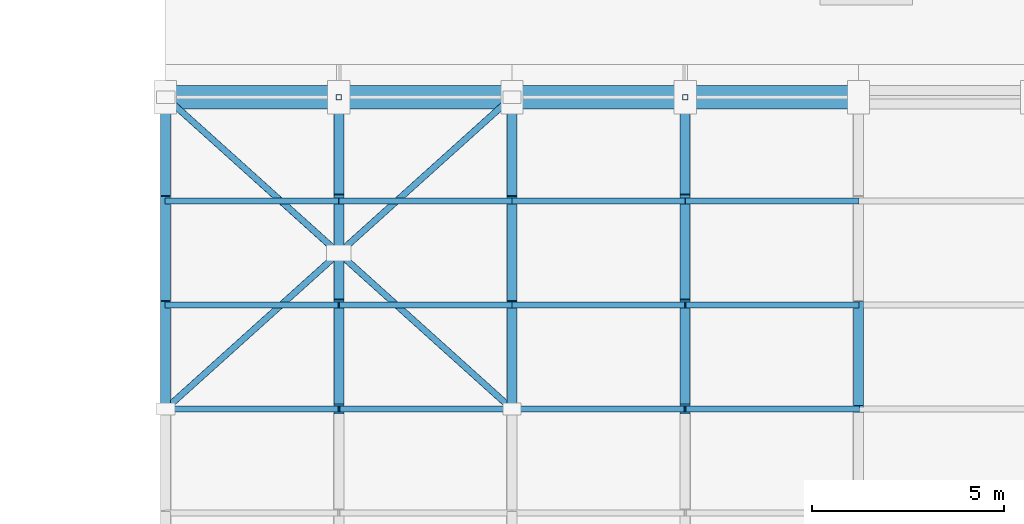
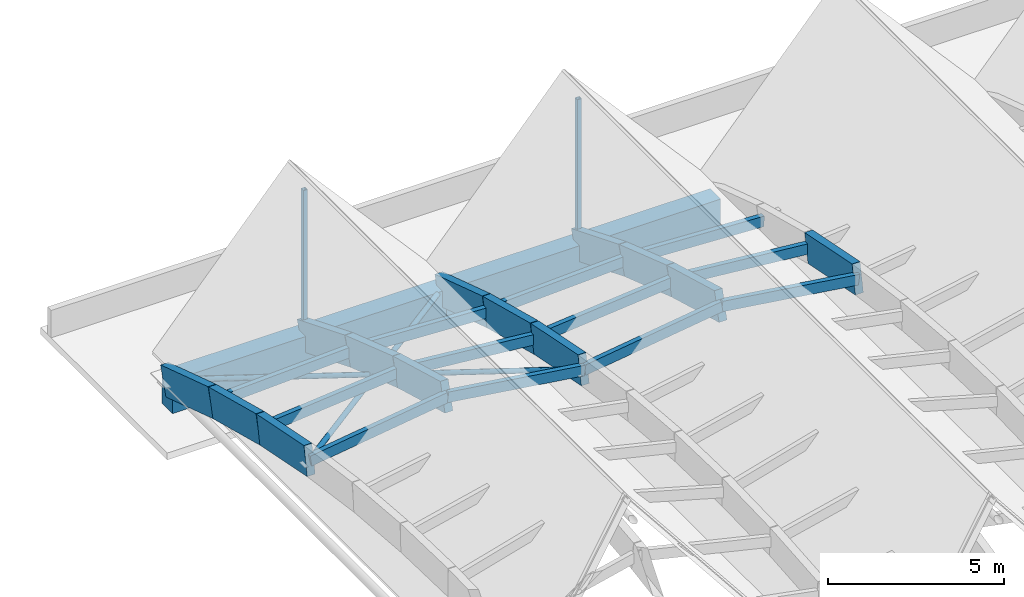
# One storey, part 22 of 39: 30 members, 2 beams.
"""IFC4 building model written with IfcOpenShell, lengths in metres."""

from ifc_helpers import new_model, si_unit, direction, frame, origin, origin_2d, place, context, subcontext, project, spatial, rectangle, hollow_rectangle, hollow_circle, extrude, material, material_profile, profile_set, type_object, element, save


model = new_model("IFC4")

# Units and contexts
model_context = context("Model", 3, precision=1e-05, world=origin(), true_north=direction((0.0, 1.0)))
body_context = subcontext(model_context, "Body", "Model", "MODEL_VIEW")
ifc_project = project(units=[si_unit("LENGTHUNIT", "METRE"), si_unit("AREAUNIT", "SQUARE_METRE"), si_unit("VOLUMEUNIT", "CUBIC_METRE"), si_unit("PLANEANGLEUNIT", "RADIAN"), si_unit("MASSUNIT", "GRAM", prefix="KILO")], contexts=[model_context])

# Site, building, storey
site_placement = place(None, origin())
site = spatial("IfcSite", under=ifc_project, at=site_placement, CompositionType="ELEMENT")
building_placement = place(site_placement, origin())
building = spatial("IfcBuilding", under=site, at=building_placement, Name="Tizgana Railside Sports Hall", CompositionType="ELEMENT")
storey_placement = place(building_placement, frame((0.0, 0.0, 23.699951171875)))
storey = spatial("IfcBuildingStorey", under=building, at=storey_placement, Name="RF", CompositionType="ELEMENT", Elevation=23.699951171875)

# Beams
ifc_material_1 = material(Name="Concrete C40/50", Category="concrete")
ifc_material_profile_1 = material_profile(ifc_material_1, rectangle(XDim=0.60009765625, YDim=1.14990234375, at=origin_2d()), Name="RCB 600x1150")
ifc_profile_set_1 = profile_set([ifc_material_profile_1], Name="Concrete C40/50")
beam_type = type_object("IfcBeamType", Name="Concrete Beam RCB 600x1150", PredefinedType="BEAM", material=ifc_profile_set_1)
for number, where, z_axis, x_axis, name in (
    (1, (79.800048828125, 73.199951171875, -3.27490234375), (1.0, 0.0, 0.0), (0.0, 1.0, 0.0), "RF BEM-1229"),
    (2, (88.800048828125, 73.199951171875, -3.27490234375), (1.0, 0.0, 0.0), (0.0, 1.0, 0.0), "RF BEM-1230"),
):
    element("IfcBeam", number, at=place(storey_placement, frame(where, z_axis=z_axis, x_axis=x_axis)), inside=storey, type_object=beam_type, Name=name, PredefinedType="BEAM", context=body_context, shape_type="SweptSolid", body=[
        extrude(rectangle(XDim=0.60009765625, YDim=1.14990234375, at=origin_2d()), origin(), (0.0, 0.0, 1.0), 9.0),
    ])

# Members
ifc_material_2 = material(Name="Glulam GL32h", Category="wood")
ifc_material_profile_2 = material_profile(ifc_material_2, rectangle(XDim=0.260009765625, YDim=0.97998046875, at=origin_2d()), Name="GL 260x980")
ifc_profile_set_2 = profile_set([ifc_material_profile_2], Name="Glulam GL32h")
member_type_1 = type_object("IfcMemberType", Name="Glulam Arch Segment GL 260x980", PredefinedType="USERDEFINED", material=ifc_profile_set_2)
member_1_placement = place(storey_placement, frame((79.800048828125, 65.10009765625, -0.721923828125), z_axis=(0.0, 0.980406395207, -0.196985533064), x_axis=(-1.0, 0.0, 0.0)))
element("IfcMember", 3, at=member_1_placement, inside=storey, type_object=member_type_1, Name="RF V2 Arch Chord MEM-0415", ObjectType="ARCH_SEGMENT", PredefinedType="USERDEFINED", context=body_context, shape_type="SweptSolid", body=[
    extrude(rectangle(XDim=0.260009765625, YDim=0.97998046875, at=origin_2d()), origin(), (0.0, 0.0, 1.0), 2.75390625),
])
member_2_placement = place(storey_placement, frame((79.800048828125, 67.800048828125, -1.264404296875), z_axis=(0.0, 0.96740233444, -0.253244394448), x_axis=(-1.0, 0.0, 0.0)))
element("IfcMember", 4, at=member_2_placement, inside=storey, type_object=member_type_1, Name="RF V2 Arch Chord MEM-0416", ObjectType="ARCH_SEGMENT", PredefinedType="USERDEFINED", context=body_context, shape_type="SweptSolid", body=[
    extrude(rectangle(XDim=0.260009765625, YDim=0.97998046875, at=origin_2d()), origin(), (0.0, 0.0, 1.0), 2.791015625),
])
member_3_placement = place(storey_placement, frame((79.800048828125, 70.5, -1.97119140625), z_axis=(0.0, 0.950912040346, -0.30946129245), x_axis=(-1.0, 0.0, 0.0)))
element("IfcMember", 5, at=member_3_placement, inside=storey, type_object=member_type_1, Name="RF V2 Arch Chord MEM-0417", ObjectType="ARCH_SEGMENT", PredefinedType="USERDEFINED", context=body_context, shape_type="SweptSolid", body=[
    extrude(rectangle(XDim=0.260009765625, YDim=0.97998046875, at=origin_2d()), origin(), (0.0, 0.0, 1.0), 2.83935546875),
])
member_4_placement = place(storey_placement, frame((84.300048828125, 65.10009765625, -0.08447265625), z_axis=(0.0, 0.963066151939, -0.269264901148), x_axis=(-1.0, 0.0, 0.0)))
element("IfcMember", 6, at=member_4_placement, inside=storey, type_object=member_type_1, Name="RF V2 Arch Chord MEM-0428", ObjectType="ARCH_SEGMENT", PredefinedType="USERDEFINED", context=body_context, shape_type="SweptSolid", body=[
    extrude(rectangle(XDim=0.260009765625, YDim=0.97998046875, at=origin_2d()), origin(), (0.0, 0.0, 1.0), 2.803466796875),
])
member_5_placement = place(storey_placement, frame((84.300048828125, 67.800048828125, -0.83935546875), z_axis=(0.0, 0.946643794117, -0.322281751049), x_axis=(-1.0, 0.0, 0.0)))
element("IfcMember", 7, at=member_5_placement, inside=storey, type_object=member_type_1, Name="RF V2 Arch Chord MEM-0429", ObjectType="ARCH_SEGMENT", PredefinedType="USERDEFINED", context=body_context, shape_type="SweptSolid", body=[
    extrude(rectangle(XDim=0.260009765625, YDim=0.97998046875, at=origin_2d()), origin(), (0.0, 0.0, 1.0), 2.85205078125),
])
member_6_placement = place(storey_placement, frame((84.300048828125, 70.5, -1.758544921875), z_axis=(0.0, 0.927129277991, -0.37474164686), x_axis=(-1.0, 0.0, 0.0)))
element("IfcMember", 8, at=member_6_placement, inside=storey, type_object=member_type_1, Name="RF V2 Arch Chord MEM-0430", ObjectType="ARCH_SEGMENT", PredefinedType="USERDEFINED", context=body_context, shape_type="SweptSolid", body=[
    extrude(rectangle(XDim=0.260009765625, YDim=0.97998046875, at=origin_2d()), origin(), (0.0, 0.0, 1.0), 2.912109375),
])
member_7_placement = place(storey_placement, frame((88.800048828125, 65.10009765625, -0.721923828125), z_axis=(0.0, 0.980406395207, -0.196985533064), x_axis=(-1.0, 0.0, 0.0)))
element("IfcMember", 9, at=member_7_placement, inside=storey, type_object=member_type_1, Name="RF V2 Arch Chord MEM-0441", ObjectType="ARCH_SEGMENT", PredefinedType="USERDEFINED", context=body_context, shape_type="SweptSolid", body=[
    extrude(rectangle(XDim=0.260009765625, YDim=0.97998046875, at=origin_2d()), origin(), (0.0, 0.0, 1.0), 2.75390625),
])
member_8_placement = place(storey_placement, frame((88.800048828125, 67.800048828125, -1.264404296875), z_axis=(0.0, 0.96740233444, -0.253244394448), x_axis=(-1.0, 0.0, 0.0)))
element("IfcMember", 10, at=member_8_placement, inside=storey, type_object=member_type_1, Name="RF V2 Arch Chord MEM-0442", ObjectType="ARCH_SEGMENT", PredefinedType="USERDEFINED", context=body_context, shape_type="SweptSolid", body=[
    extrude(rectangle(XDim=0.260009765625, YDim=0.97998046875, at=origin_2d()), origin(), (0.0, 0.0, 1.0), 2.791015625),
])
member_9_placement = place(storey_placement, frame((88.800048828125, 70.5, -1.97119140625), z_axis=(0.0, 0.950912040346, -0.30946129245), x_axis=(-1.0, 0.0, 0.0)))
element("IfcMember", 11, at=member_9_placement, inside=storey, type_object=member_type_1, Name="RF V2 Arch Chord MEM-0443", ObjectType="ARCH_SEGMENT", PredefinedType="USERDEFINED", context=body_context, shape_type="SweptSolid", body=[
    extrude(rectangle(XDim=0.260009765625, YDim=0.97998046875, at=origin_2d()), origin(), (0.0, 0.0, 1.0), 2.83935546875),
])
member_10_placement = place(storey_placement, frame((93.300048828125, 65.10009765625, -0.08447265625), z_axis=(0.0, 0.963066151939, -0.269264901148), x_axis=(-1.0, 0.0, 0.0)))
element("IfcMember", 12, at=member_10_placement, inside=storey, type_object=member_type_1, Name="RF V2 Arch Chord MEM-0454", ObjectType="ARCH_SEGMENT", PredefinedType="USERDEFINED", context=body_context, shape_type="SweptSolid", body=[
    extrude(rectangle(XDim=0.260009765625, YDim=0.97998046875, at=origin_2d()), origin(), (0.0, 0.0, 1.0), 2.803466796875),
])
member_11_placement = place(storey_placement, frame((93.300048828125, 67.800048828125, -0.83935546875), z_axis=(0.0, 0.946643794117, -0.322281751049), x_axis=(-1.0, 0.0, 0.0)))
element("IfcMember", 13, at=member_11_placement, inside=storey, type_object=member_type_1, Name="RF V2 Arch Chord MEM-0455", ObjectType="ARCH_SEGMENT", PredefinedType="USERDEFINED", context=body_context, shape_type="SweptSolid", body=[
    extrude(rectangle(XDim=0.260009765625, YDim=0.97998046875, at=origin_2d()), origin(), (0.0, 0.0, 1.0), 2.85205078125),
])
member_12_placement = place(storey_placement, frame((93.300048828125, 70.5, -1.758544921875), z_axis=(0.0, 0.927129277991, -0.37474164686), x_axis=(-1.0, 0.0, 0.0)))
element("IfcMember", 14, at=member_12_placement, inside=storey, type_object=member_type_1, Name="RF V2 Arch Chord MEM-0456", ObjectType="ARCH_SEGMENT", PredefinedType="USERDEFINED", context=body_context, shape_type="SweptSolid", body=[
    extrude(rectangle(XDim=0.260009765625, YDim=0.97998046875, at=origin_2d()), origin(), (0.0, 0.0, 1.0), 2.912109375),
])
member_13_placement = place(storey_placement, frame((97.800048828125, 65.10009765625, -0.721923828125), z_axis=(0.0, 0.980406395207, -0.196985533064), x_axis=(-1.0, 0.0, 0.0)))
element("IfcMember", 15, at=member_13_placement, inside=storey, type_object=member_type_1, Name="RF V2 Arch Chord MEM-0467", ObjectType="ARCH_SEGMENT", PredefinedType="USERDEFINED", context=body_context, shape_type="SweptSolid", body=[
    extrude(rectangle(XDim=0.260009765625, YDim=0.97998046875, at=origin_2d()), origin(), (0.0, 0.0, 1.0), 2.75390625),
])
ifc_material_3 = material(Name="Glulam GL28h", Category="wood")
ifc_material_profile_3 = material_profile(ifc_material_3, rectangle(XDim=0.159912109375, YDim=0.360107421875, at=origin_2d()), Name="GL 160x360")
ifc_profile_set_3 = profile_set([ifc_material_profile_3], Name="Glulam GL28h")
member_type_2 = type_object("IfcMemberType", Name="Glulam Roof Purlin GL 160x360", PredefinedType="PURLIN", material=ifc_profile_set_3)
for number, where, z_axis, x_axis, name in (
    (16, (79.800048828125, 65.10009765625, -0.721923828125), (0.990115330681, 0.0, 0.140255595074), (0.0, 1.0, 0.0), "RF V2 Purlin MEM-0593"),
    (17, (84.300048828125, 65.10009765625, -0.08447265625), (0.990115330681, 0.0, -0.140255595074), (0.0, 1.0, 0.0), "RF V2 Purlin MEM-0594"),
):
    element("IfcMember", number, at=place(storey_placement, frame(where, z_axis=z_axis, x_axis=x_axis)), inside=storey, type_object=member_type_2, Name=name, PredefinedType="PURLIN", context=body_context, shape_type="SweptSolid", body=[
        extrude(rectangle(XDim=0.159912109375, YDim=0.360107421875, at=origin_2d()), origin(), (0.0, 0.0, 1.0), 4.544921875),
    ])
for number, where, z_axis, x_axis, name in (
    (18, (79.800048828125, 67.800048828125, -1.264404296875), (0.995568727865, 0.0, 0.094036738022), (0.0, 1.0, 0.0), "RF V2 Purlin MEM-0595"),
    (19, (84.300048828125, 67.800048828125, -0.83935546875), (0.995568727865, 0.0, -0.094036738022), (0.0, 1.0, 0.0), "RF V2 Purlin MEM-0596"),
):
    element("IfcMember", number, at=place(storey_placement, frame(where, z_axis=z_axis, x_axis=x_axis)), inside=storey, type_object=member_type_2, Name=name, PredefinedType="PURLIN", context=body_context, shape_type="SweptSolid", body=[
        extrude(rectangle(XDim=0.159912109375, YDim=0.360107421875, at=origin_2d()), origin(), (0.0, 0.0, 1.0), 4.52001953125),
    ])
for number, where, z_axis, x_axis, name in (
    (20, (79.800048828125, 70.5, -1.97119140625), (0.998885359561, 0.0, 0.047202102223), (0.0, 1.0, 0.0), "RF V2 Purlin MEM-0597"),
    (21, (84.300048828125, 70.5, -1.758544921875), (0.998885359561, 0.0, -0.047202102223), (0.0, 1.0, 0.0), "RF V2 Purlin MEM-0598"),
):
    element("IfcMember", number, at=place(storey_placement, frame(where, z_axis=z_axis, x_axis=x_axis)), inside=storey, type_object=member_type_2, Name=name, PredefinedType="PURLIN", context=body_context, shape_type="SweptSolid", body=[
        extrude(rectangle(XDim=0.159912109375, YDim=0.360107421875, at=origin_2d()), origin(), (0.0, 0.0, 1.0), 4.505126953125),
    ])
for number, where, z_axis, x_axis, name in (
    (22, (88.800048828125, 65.10009765625, -0.721923828125), (0.990115330681, 0.0, 0.140255595074), (0.0, 1.0, 0.0), "RF V2 Purlin MEM-0624"),
    (23, (93.300048828125, 65.10009765625, -0.08447265625), (0.990115330681, 0.0, -0.140255595074), (0.0, 1.0, 0.0), "RF V2 Purlin MEM-0625"),
):
    element("IfcMember", number, at=place(storey_placement, frame(where, z_axis=z_axis, x_axis=x_axis)), inside=storey, type_object=member_type_2, Name=name, PredefinedType="PURLIN", context=body_context, shape_type="SweptSolid", body=[
        extrude(rectangle(XDim=0.159912109375, YDim=0.360107421875, at=origin_2d()), origin(), (0.0, 0.0, 1.0), 4.544921875),
    ])
for number, where, z_axis, x_axis, name in (
    (24, (88.800048828125, 67.800048828125, -1.264404296875), (0.995568727865, 0.0, 0.094036738022), (0.0, 1.0, 0.0), "RF V2 Purlin MEM-0626"),
    (25, (93.300048828125, 67.800048828125, -0.83935546875), (0.995568727865, 0.0, -0.094036738022), (0.0, 1.0, 0.0), "RF V2 Purlin MEM-0627"),
):
    element("IfcMember", number, at=place(storey_placement, frame(where, z_axis=z_axis, x_axis=x_axis)), inside=storey, type_object=member_type_2, Name=name, PredefinedType="PURLIN", context=body_context, shape_type="SweptSolid", body=[
        extrude(rectangle(XDim=0.159912109375, YDim=0.360107421875, at=origin_2d()), origin(), (0.0, 0.0, 1.0), 4.52001953125),
    ])
for number, where, z_axis, x_axis, name in (
    (26, (88.800048828125, 70.5, -1.97119140625), (0.998885359561, 0.0, 0.047202102223), (0.0, 1.0, 0.0), "RF V2 Purlin MEM-0628"),
    (27, (93.300048828125, 70.5, -1.758544921875), (0.998885359561, 0.0, -0.047202102223), (0.0, 1.0, 0.0), "RF V2 Purlin MEM-0629"),
):
    element("IfcMember", number, at=place(storey_placement, frame(where, z_axis=z_axis, x_axis=x_axis)), inside=storey, type_object=member_type_2, Name=name, PredefinedType="PURLIN", context=body_context, shape_type="SweptSolid", body=[
        extrude(rectangle(XDim=0.159912109375, YDim=0.360107421875, at=origin_2d()), origin(), (0.0, 0.0, 1.0), 4.505126953125),
    ])
ifc_material_4 = material(Name="Steel S355J2", Category="steel")
ifc_material_profile_4 = material_profile(ifc_material_4, hollow_circle(Radius=0.084228515625, WallThickness=0.008056640625, at=origin_2d()), Name="CHS 168.3x8")
ifc_profile_set_4 = profile_set([ifc_material_profile_4], Name="Steel S355J2")
member_type_3 = type_object("IfcMemberType", Name="Steel Brace CHS 168.3x8", PredefinedType="BRACE", material=ifc_profile_set_4)
member_14_placement = place(storey_placement, frame((79.800048828125, 65.10009765625, -0.721923828125), z_axis=(0.732080706849, 0.658860720788, -0.173090696639), x_axis=(-0.668958047626, 0.743300161789, 0.0)))
element("IfcMember", 28, at=member_14_placement, inside=storey, type_object=member_type_3, Name="RF V2 Continuous Wind Brace MEM-0602", PredefinedType="BRACE", context=body_context, shape_type="SweptSolid", body=[
    extrude(hollow_circle(Radius=0.084228515625, WallThickness=0.008056640625, at=origin_2d()), origin(), (0.0, 0.0, 1.0), 12.293701171875),
])
for number, where, z_axis, x_axis, name in (
    (29, (88.800048828125, 65.10009765625, -0.721923828125), (-0.732069476291, 0.658870657348, -0.173100371948), (-0.668969291431, -0.743290042394, 0.0), "RF V2 Split Wind Brace MEM-0603"),
    (30, (84.197509765625, 69.2421875, -1.81005859375), (-0.732069476291, 0.658870657348, -0.173100371948), (-0.668969291431, -0.743290042394, 0.0), "RF V2 Split Wind Brace MEM-0604"),
):
    element("IfcMember", number, at=place(storey_placement, frame(where, z_axis=z_axis, x_axis=x_axis)), inside=storey, type_object=member_type_3, Name=name, PredefinedType="BRACE", context=body_context, shape_type="SweptSolid", body=[
        extrude(hollow_circle(Radius=0.084228515625, WallThickness=0.008056640625, at=origin_2d()), origin(), (0.0, 0.0, 1.0), 6.0068359375),
    ])
ifc_material_profile_5 = material_profile(ifc_material_4, hollow_rectangle(XDim=0.139892578125, YDim=0.139892578125, WallThickness=0.008056640625, at=origin_2d()), Name="SHS 140x140x8")
ifc_profile_set_5 = profile_set([ifc_material_profile_5], Name="Steel S355J2")
member_type_4 = type_object("IfcMemberType", Name="Steel Brace SHS 140x140x8", PredefinedType="BRACE", material=ifc_profile_set_5)
for number, where, z_axis, x_axis, name in (
    (31, (84.300048828125, 73.199951171875, -2.89990234375), (0.0, 0.0, 1.0), (1.0, 0.0, 0.0), "RF King Post"),
    (32, (93.300048828125, 73.199951171875, -2.89990234375), (0.0, 0.0, 1.0), (1.0, 0.0, 0.0), "RF King Post"),
):
    element("IfcMember", number, at=place(storey_placement, frame(where, z_axis=z_axis, x_axis=x_axis)), inside=storey, type_object=member_type_4, Name=name, PredefinedType="BRACE", context=body_context, shape_type="SweptSolid", body=[
        extrude(hollow_rectangle(XDim=0.139892578125, YDim=0.139892578125, WallThickness=0.008056640625, at=origin_2d()), origin(), (0.0, 0.0, 1.0), 5.099853515625),
    ])

save(model, "model.ifc")
